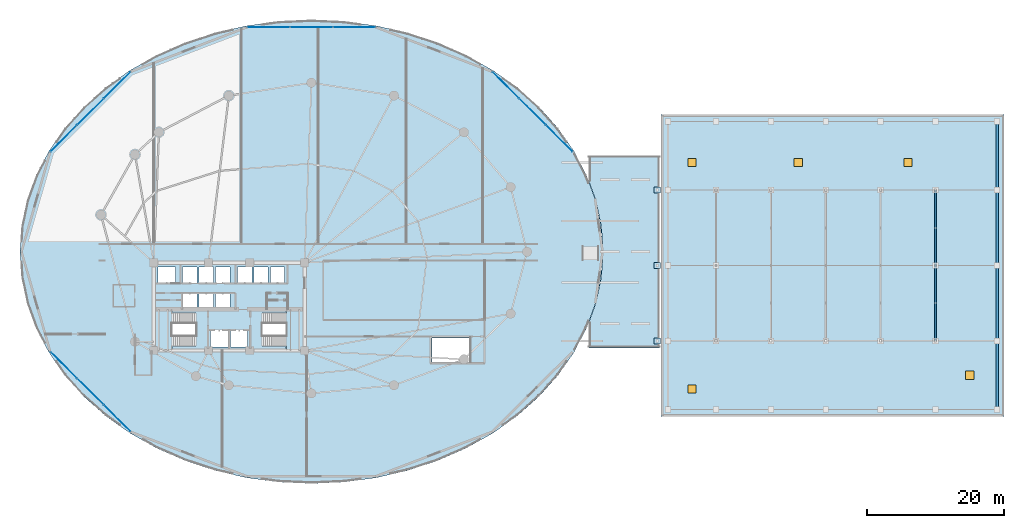
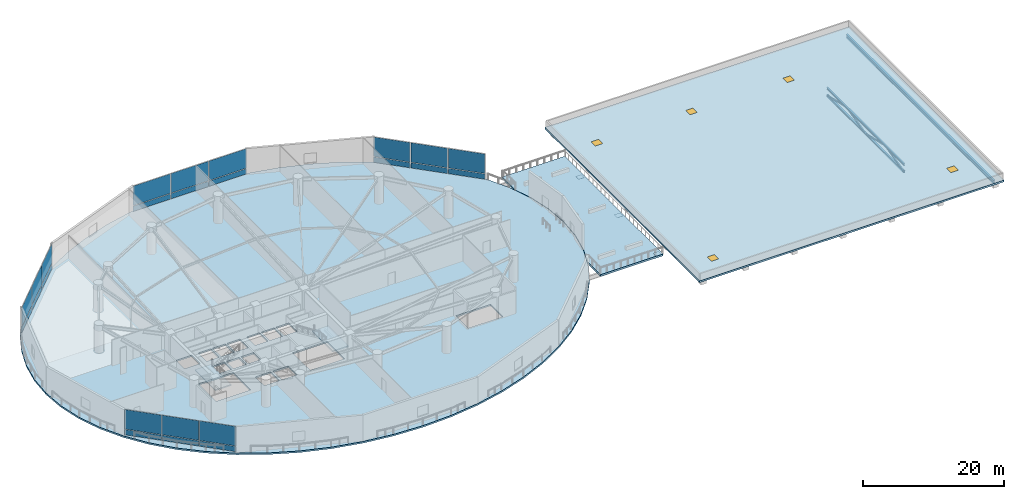
# One storey, part 14 of 26: 27 plates, 6 members, 5 slabs, 5 windows, 1 beam, 5 openings, 6 elements without a shape of their own.
"""IFC4 building model written with IfcOpenShell, lengths in metres."""

from ifc_helpers import new_model, si_unit, direction, frame, origin, origin_2d, place, context, subcontext, project, spatial, polyline, rectangle, hollow_rectangle, i_section, outline, extrude, material, layer, layer_set, material_profile, profile_set, type_object, element, fill, aggregate, save


model = new_model("IFC4")

# Units and contexts
model_context = context("Model", 3, precision=1e-05, world=origin(), true_north=direction((0.0, 1.0)))
body_context = subcontext(model_context, "Body", "Model", "MODEL_VIEW")
ifc_project = project(units=[si_unit("LENGTHUNIT", "METRE"), si_unit("AREAUNIT", "SQUARE_METRE"), si_unit("VOLUMEUNIT", "CUBIC_METRE"), si_unit("PLANEANGLEUNIT", "RADIAN"), si_unit("MASSUNIT", "GRAM", prefix="KILO")], contexts=[model_context])

# Site, building, storey
site_placement = place(None, origin())
site = spatial("IfcSite", under=ifc_project, at=site_placement, CompositionType="ELEMENT")
building_placement = place(site_placement, origin())
building = spatial("IfcBuilding", under=site, at=building_placement, Name="Kazevale Care Tower and Concert Hall", CompositionType="ELEMENT")
storey_placement = place(building_placement, frame((0.0, 0.0, 19.199951171875)))
storey = spatial("IfcBuildingStorey", under=building, at=storey_placement, Name="L04", CompositionType="ELEMENT", Elevation=19.199951171875)

# Beam
ifc_material_1 = material(Name="Steel ASTM A572 Gr 50", Category="steel")
ifc_material_profile_1 = material_profile(ifc_material_1, i_section(OverallWidth=0.323974609375, OverallDepth=0.611083984375, WebThickness=0.0126953125, FlangeThickness=0.01904296875, at=origin_2d()), Name="W610x155")
ifc_profile_set_1 = profile_set([ifc_material_profile_1], Name="Steel ASTM A572 Gr 50")
beam_type = type_object("IfcBeamType", Name="Concert Hall Frame Girder W610x155", PredefinedType="BEAM", material=ifc_profile_set_1)
beam_placement = place(storey_placement, frame((145.0, 15.0, 0.695068359375), z_axis=(0.0, 1.0, 0.0), x_axis=(-1.0, 0.0, 0.0)))
element("IfcBeam", 1, at=beam_placement, inside=storey, type_object=beam_type, Name="beam:L04:hall_edge:145", PredefinedType="BEAM", context=body_context, shape_type="SweptSolid", body=[
    extrude(i_section(OverallWidth=0.323974609375, OverallDepth=0.611083984375, WebThickness=0.0126953125, FlangeThickness=0.01904296875, at=origin_2d()), origin(), (0.0, 0.0, 1.0), 42.0),
])

# Members
ifc_material_profile_2 = material_profile(ifc_material_1, i_section(OverallWidth=0.304931640625, OverallDepth=0.30810546875, WebThickness=0.010009765625, FlangeThickness=0.015380859375, at=origin_2d()), Name="W310x97")
ifc_profile_set_2 = profile_set([ifc_material_profile_2], Name="Steel ASTM A572 Gr 50")
member_type_1 = type_object("IfcMemberType", Name="Concert Hall Truss Bot Chord W310x97", PredefinedType="CHORD", material=ifc_profile_set_2)
member_1_placement = place(storey_placement, frame((136.0, 25.0, -0.449951171875), z_axis=(0.0, 1.0, 0.0), x_axis=(-1.0, 0.0, 0.0)))
element("IfcMember", 2, at=member_1_placement, inside=storey, type_object=member_type_1, Name="truss:L04:CT5:bot", PredefinedType="CHORD", context=body_context, shape_type="SweptSolid", body=[
    extrude(i_section(OverallWidth=0.304931640625, OverallDepth=0.30810546875, WebThickness=0.010009765625, FlangeThickness=0.015380859375, at=origin_2d()), origin(), (0.0, 0.0, 1.0), 22.0),
])
ifc_material_profile_3 = material_profile(ifc_material_1, i_section(OverallWidth=0.257080078125, OverallDepth=0.363037109375, WebThickness=0.012939453125, FlangeThickness=0.021728515625, at=origin_2d()), Name="W360x122")
ifc_profile_set_3 = profile_set([ifc_material_profile_3], Name="Steel ASTM A572 Gr 50")
member_type_2 = type_object("IfcMemberType", Name="Concert Hall Truss Top Chord W360x122", PredefinedType="CHORD", material=ifc_profile_set_3)
member_2_placement = place(storey_placement, frame((136.0, 25.0, 0.818603515625), z_axis=(0.0, 1.0, 0.0), x_axis=(-1.0, 0.0, 0.0)))
element("IfcMember", 3, at=member_2_placement, inside=storey, type_object=member_type_2, Name="truss:L04:CT5:top", PredefinedType="CHORD", context=body_context, shape_type="SweptSolid", body=[
    extrude(i_section(OverallWidth=0.257080078125, OverallDepth=0.363037109375, WebThickness=0.012939453125, FlangeThickness=0.021728515625, at=origin_2d()), origin(), (0.0, 0.0, 1.0), 22.0),
])
ifc_material_profile_4 = material_profile(ifc_material_1, hollow_rectangle(XDim=0.199951171875, YDim=0.199951171875, WallThickness=0.012451171875, at=origin_2d()), Name="SHS200x200x12.5")
ifc_profile_set_4 = profile_set([ifc_material_profile_4], Name="Steel ASTM A572 Gr 50")
member_type_3 = type_object("IfcMemberType", Name="Concert Hall Truss Web SHS200x200x12.5", PredefinedType="BRACE", material=ifc_profile_set_4)
for number, where, z_axis, x_axis, name in (
    (4, (136.0, 25.0, -0.449951171875), (0.0, 0.974417432824, 0.22474578218), (-1.0, 0.0, 0.0), "truss:L04:CT5:web1"),
    (5, (136.0, 30.5, 0.818603515625), (0.0, 0.974417432824, -0.22474578218), (-1.0, 0.0, 0.0), "truss:L04:CT5:web2"),
    (6, (136.0, 36.0, -0.449951171875), (0.0, 0.974417432824, 0.22474578218), (-1.0, 0.0, 0.0), "truss:L04:CT5:web3"),
    (7, (136.0, 41.5, 0.818603515625), (0.0, 0.974417432824, -0.22474578218), (-1.0, 0.0, 0.0), "truss:L04:CT5:web4"),
):
    element("IfcMember", number, at=place(storey_placement, frame(where, z_axis=z_axis, x_axis=x_axis)), inside=storey, type_object=member_type_3, Name=name, PredefinedType="BRACE", context=body_context, shape_type="SweptSolid", body=[
        extrude(hollow_rectangle(XDim=0.199951171875, YDim=0.199951171875, WallThickness=0.012451171875, at=origin_2d()), origin(), (0.0, 0.0, 1.0), 5.644287109375),
    ])

# Plates
ifc_layer_1 = layer(ifc_material_1, 0.050048828125)
ifc_layer_set_1 = layer_set([ifc_layer_1], Name="Steel ASTM A572 Gr 50")
plate_type_1 = type_object("IfcPlateType", Name="Bridge Corbel Seat Bearing Plate 50mm", PredefinedType="USERDEFINED", material=ifc_layer_set_1)
for number, where, z_axis, x_axis, name in (
    (8, (95.39990234375, 25.0, -0.48974609375), (0.0, 0.0, 1.0), (1.0, 0.0, 0.0), "plate:L04:bseat:1"),
    (9, (95.39990234375, 36.0, -0.48974609375), (0.0, 0.0, 1.0), (1.0, 0.0, 0.0), "plate:L04:bseat:2"),
    (10, (95.39990234375, 47.0, -0.48974609375), (0.0, 0.0, 1.0), (1.0, 0.0, 0.0), "plate:L04:bseat:3"),
):
    element("IfcPlate", number, at=place(storey_placement, frame(where, z_axis=z_axis, x_axis=x_axis)), inside=storey, type_object=plate_type_1, Name=name, ObjectType="SEAT_PLATE", PredefinedType="USERDEFINED", context=body_context, shape_type="SweptSolid", body=[
        extrude(rectangle(XDim=0.949951171875, YDim=0.89990234375, at=origin_2d()), origin(), (0.0, 0.0, 1.0), 0.050048828125),
    ])

# Curtain wall, plates
ifc_material_2 = material(Name="Aluminium 6063-T6 and Low-E Glass", Category="aluminium")
ifc_layer_2 = layer(ifc_material_2, 0.179931640625)
ifc_layer_set_2 = layer_set([ifc_layer_2], Name="Aluminium 6063-T6 and Low-E Glass")
curtain_wall_type = type_object("IfcCurtainWallType", Name="Podium Double-Skin Medical Curtain Wall CW-1", PredefinedType="NOTDEFINED", material=ifc_layer_set_2)
curtain_wall_1_placement = place(storey_placement, origin())
curtain_wall_1 = element("IfcCurtainWall", 11, at=curtain_wall_1_placement, inside=storey, type_object=curtain_wall_type, Name="cw:L04:pod:02", PredefinedType="NOTDEFINED")
ifc_material_3 = material(Name="Low-E Laminated Glass", Category="glass")
ifc_layer_3 = layer(ifc_material_3, 0.030029296875)
ifc_layer_set_3 = layer_set([ifc_layer_3], Name="Low-E Laminated Glass")
plate_type_2 = type_object("IfcPlateType", Name="CW-1 Low-E Glazing Panel 30mm", PredefinedType="CURTAIN_PANEL", material=ifc_layer_set_3)
plate_1_placement = place(storey_placement, frame((81.121826171875, 54.533203125, 0.080078125), z_axis=(0.0, 0.0, 1.0), x_axis=(-0.708554776856, 0.705655814257, 0.0)))
plate_1 = element("IfcPlate", 12, at=plate_1_placement, type_object=plate_type_2, Name="CW-1 panel 1.1", PredefinedType="CURTAIN_PANEL", context=body_context, shape_type="SweptSolid", body=[
    extrude(rectangle(XDim=5.38427734375, YDim=0.030029296875, at=origin_2d()), origin(), (0.0, 0.0, 1.0), 0.929931640625),
])
plate_2_placement = place(storey_placement, frame((81.121826171875, 54.533203125, 1.09033203125), z_axis=(0.0, 0.0, 1.0), x_axis=(-0.708554776856, 0.705655814257, 0.0)))
plate_2 = element("IfcPlate", 13, at=plate_2_placement, type_object=plate_type_2, Name="CW-1 panel 1.2", PredefinedType="CURTAIN_PANEL", context=body_context, shape_type="SweptSolid", body=[
    extrude(rectangle(XDim=5.38427734375, YDim=0.030029296875, at=origin_2d()), origin(), (0.0, 0.0, 1.0), 3.389892578125),
])
plate_3_placement = place(storey_placement, frame((77.22705078125, 58.412109375, 0.080078125), z_axis=(0.0, 0.0, 1.0), x_axis=(-0.708554776856, 0.705655814257, 0.0)))
plate_3 = element("IfcPlate", 14, at=plate_3_placement, type_object=plate_type_2, Name="CW-1 panel 2.1", PredefinedType="CURTAIN_PANEL", context=body_context, shape_type="SweptSolid", body=[
    extrude(rectangle(XDim=5.42919921875, YDim=0.030029296875, at=origin_2d()), origin(), (0.0, 0.0, 1.0), 0.929931640625),
])
plate_4_placement = place(storey_placement, frame((77.22705078125, 58.412109375, 1.09033203125), z_axis=(0.0, 0.0, 1.0), x_axis=(-0.708554776856, 0.705655814257, 0.0)))
plate_4 = element("IfcPlate", 15, at=plate_4_placement, type_object=plate_type_2, Name="CW-1 panel 2.2", PredefinedType="CURTAIN_PANEL", context=body_context, shape_type="SweptSolid", body=[
    extrude(rectangle(XDim=5.42919921875, YDim=0.030029296875, at=origin_2d()), origin(), (0.0, 0.0, 1.0), 3.389892578125),
])
plate_5_placement = place(storey_placement, frame((73.332275390625, 62.290771484375, 0.080078125), z_axis=(0.0, 0.0, 1.0), x_axis=(-0.708554776856, 0.705655814257, 0.0)))
plate_5 = element("IfcPlate", 16, at=plate_5_placement, type_object=plate_type_2, Name="CW-1 panel 3.1", PredefinedType="CURTAIN_PANEL", context=body_context, shape_type="SweptSolid", body=[
    extrude(rectangle(XDim=5.38427734375, YDim=0.030029296875, at=origin_2d()), origin(), (0.0, 0.0, 1.0), 0.929931640625),
])
plate_6_placement = place(storey_placement, frame((73.332275390625, 62.290771484375, 1.09033203125), z_axis=(0.0, 0.0, 1.0), x_axis=(-0.708554776856, 0.705655814257, 0.0)))
plate_6 = element("IfcPlate", 17, at=plate_6_placement, type_object=plate_type_2, Name="CW-1 panel 3.2", PredefinedType="CURTAIN_PANEL", context=body_context, shape_type="SweptSolid", body=[
    extrude(rectangle(XDim=5.38427734375, YDim=0.030029296875, at=origin_2d()), origin(), (0.0, 0.0, 1.0), 3.389892578125),
])
aggregate(curtain_wall_1, [plate_1, plate_2, plate_3, plate_4, plate_5, plate_6])

curtain_wall_2_placement = place(storey_placement, origin())
curtain_wall_2 = element("IfcCurtainWall", 18, at=curtain_wall_2_placement, inside=storey, type_object=curtain_wall_type, Name="cw:L04:pod:04", PredefinedType="NOTDEFINED")
plate_7_placement = place(storey_placement, frame((51.24951171875, 70.738037109375, 0.080078125), z_axis=(0.0, 0.0, 1.0), x_axis=(-1.0, 0.0, 0.0)))
plate_7 = element("IfcPlate", 19, at=plate_7_placement, type_object=plate_type_2, Name="CW-1 panel 1.1", PredefinedType="CURTAIN_PANEL", context=body_context, shape_type="SweptSolid", body=[
    extrude(rectangle(XDim=6.136962890625, YDim=0.030029296875, at=origin_2d()), origin(), (0.0, 0.0, 1.0), 0.929931640625),
])
plate_8_placement = place(storey_placement, frame((51.24951171875, 70.738037109375, 1.09033203125), z_axis=(0.0, 0.0, 1.0), x_axis=(-1.0, 0.0, 0.0)))
plate_8 = element("IfcPlate", 20, at=plate_8_placement, type_object=plate_type_2, Name="CW-1 panel 1.2", PredefinedType="CURTAIN_PANEL", context=body_context, shape_type="SweptSolid", body=[
    extrude(rectangle(XDim=6.136962890625, YDim=0.030029296875, at=origin_2d()), origin(), (0.0, 0.0, 1.0), 3.389892578125),
])
plate_9_placement = place(storey_placement, frame((45.0, 70.738037109375, 0.080078125), z_axis=(0.0, 0.0, 1.0), x_axis=(-1.0, 0.0, 0.0)))
plate_9 = element("IfcPlate", 21, at=plate_9_placement, type_object=plate_type_2, Name="CW-1 panel 2.1", PredefinedType="CURTAIN_PANEL", context=body_context, shape_type="SweptSolid", body=[
    extrude(rectangle(XDim=6.181884765625, YDim=0.030029296875, at=origin_2d()), origin(), (0.0, 0.0, 1.0), 0.929931640625),
])
plate_10_placement = place(storey_placement, frame((45.0, 70.738037109375, 1.09033203125), z_axis=(0.0, 0.0, 1.0), x_axis=(-1.0, 0.0, 0.0)))
plate_10 = element("IfcPlate", 22, at=plate_10_placement, type_object=plate_type_2, Name="CW-1 panel 2.2", PredefinedType="CURTAIN_PANEL", context=body_context, shape_type="SweptSolid", body=[
    extrude(rectangle(XDim=6.181884765625, YDim=0.030029296875, at=origin_2d()), origin(), (0.0, 0.0, 1.0), 3.389892578125),
])
plate_11_placement = place(storey_placement, frame((38.75048828125, 70.738037109375, 0.080078125), z_axis=(0.0, 0.0, 1.0), x_axis=(-1.0, 0.0, 0.0)))
plate_11 = element("IfcPlate", 23, at=plate_11_placement, type_object=plate_type_2, Name="CW-1 panel 3.1", PredefinedType="CURTAIN_PANEL", context=body_context, shape_type="SweptSolid", body=[
    extrude(rectangle(XDim=6.136962890625, YDim=0.030029296875, at=origin_2d()), origin(), (0.0, 0.0, 1.0), 0.929931640625),
])
plate_12_placement = place(storey_placement, frame((38.75048828125, 70.738037109375, 1.09033203125), z_axis=(0.0, 0.0, 1.0), x_axis=(-1.0, 0.0, 0.0)))
plate_12 = element("IfcPlate", 24, at=plate_12_placement, type_object=plate_type_2, Name="CW-1 panel 3.2", PredefinedType="CURTAIN_PANEL", context=body_context, shape_type="SweptSolid", body=[
    extrude(rectangle(XDim=6.136962890625, YDim=0.030029296875, at=origin_2d()), origin(), (0.0, 0.0, 1.0), 3.389892578125),
])
aggregate(curtain_wall_2, [plate_7, plate_8, plate_9, plate_10, plate_11, plate_12])

curtain_wall_3_placement = place(storey_placement, origin())
curtain_wall_3 = element("IfcCurtainWall", 25, at=curtain_wall_3_placement, inside=storey, type_object=curtain_wall_type, Name="cw:L04:pod:06", PredefinedType="NOTDEFINED")
plate_13_placement = place(storey_placement, frame((16.667724609375, 62.290771484375, 0.080078125), z_axis=(0.0, 0.0, 1.0), x_axis=(-0.708554776856, -0.705655814257, 0.0)))
plate_13 = element("IfcPlate", 26, at=plate_13_placement, type_object=plate_type_2, Name="CW-1 panel 1.1", PredefinedType="CURTAIN_PANEL", context=body_context, shape_type="SweptSolid", body=[
    extrude(rectangle(XDim=5.38427734375, YDim=0.030029296875, at=origin_2d()), origin(), (0.0, 0.0, 1.0), 0.929931640625),
])
plate_14_placement = place(storey_placement, frame((16.667724609375, 62.290771484375, 1.09033203125), z_axis=(0.0, 0.0, 1.0), x_axis=(-0.708554776856, -0.705655814257, 0.0)))
plate_14 = element("IfcPlate", 27, at=plate_14_placement, type_object=plate_type_2, Name="CW-1 panel 1.2", PredefinedType="CURTAIN_PANEL", context=body_context, shape_type="SweptSolid", body=[
    extrude(rectangle(XDim=5.38427734375, YDim=0.030029296875, at=origin_2d()), origin(), (0.0, 0.0, 1.0), 3.389892578125),
])
plate_15_placement = place(storey_placement, frame((12.77294921875, 58.412109375, 0.080078125), z_axis=(0.0, 0.0, 1.0), x_axis=(-0.708554776856, -0.705655814257, 0.0)))
plate_15 = element("IfcPlate", 28, at=plate_15_placement, type_object=plate_type_2, Name="CW-1 panel 2.1", PredefinedType="CURTAIN_PANEL", context=body_context, shape_type="SweptSolid", body=[
    extrude(rectangle(XDim=5.42919921875, YDim=0.030029296875, at=origin_2d()), origin(), (0.0, 0.0, 1.0), 0.929931640625),
])
plate_16_placement = place(storey_placement, frame((12.77294921875, 58.412109375, 1.09033203125), z_axis=(0.0, 0.0, 1.0), x_axis=(-0.708554776856, -0.705655814257, 0.0)))
plate_16 = element("IfcPlate", 29, at=plate_16_placement, type_object=plate_type_2, Name="CW-1 panel 2.2", PredefinedType="CURTAIN_PANEL", context=body_context, shape_type="SweptSolid", body=[
    extrude(rectangle(XDim=5.42919921875, YDim=0.030029296875, at=origin_2d()), origin(), (0.0, 0.0, 1.0), 3.389892578125),
])
plate_17_placement = place(storey_placement, frame((8.878173828125, 54.533203125, 0.080078125), z_axis=(0.0, 0.0, 1.0), x_axis=(-0.708554776856, -0.705655814257, 0.0)))
plate_17 = element("IfcPlate", 30, at=plate_17_placement, type_object=plate_type_2, Name="CW-1 panel 3.1", PredefinedType="CURTAIN_PANEL", context=body_context, shape_type="SweptSolid", body=[
    extrude(rectangle(XDim=5.38427734375, YDim=0.030029296875, at=origin_2d()), origin(), (0.0, 0.0, 1.0), 0.929931640625),
])
plate_18_placement = place(storey_placement, frame((8.878173828125, 54.533203125, 1.09033203125), z_axis=(0.0, 0.0, 1.0), x_axis=(-0.708554776856, -0.705655814257, 0.0)))
plate_18 = element("IfcPlate", 31, at=plate_18_placement, type_object=plate_type_2, Name="CW-1 panel 3.2", PredefinedType="CURTAIN_PANEL", context=body_context, shape_type="SweptSolid", body=[
    extrude(rectangle(XDim=5.38427734375, YDim=0.030029296875, at=origin_2d()), origin(), (0.0, 0.0, 1.0), 3.389892578125),
])
aggregate(curtain_wall_3, [plate_13, plate_14, plate_15, plate_16, plate_17, plate_18])

curtain_wall_4_placement = place(storey_placement, origin())
curtain_wall_4 = element("IfcCurtainWall", 32, at=curtain_wall_4_placement, inside=storey, type_object=curtain_wall_type, Name="cw:L04:pod:09", PredefinedType="NOTDEFINED")
plate_19_placement = place(storey_placement, frame((8.878173828125, 21.466796875, 0.080078125), z_axis=(0.0, 0.0, 1.0), x_axis=(0.708554776856, -0.705655814257, 0.0)))
plate_19 = element("IfcPlate", 33, at=plate_19_placement, type_object=plate_type_2, Name="CW-1 panel 1.1", PredefinedType="CURTAIN_PANEL", context=body_context, shape_type="SweptSolid", body=[
    extrude(rectangle(XDim=5.38427734375, YDim=0.030029296875, at=origin_2d()), origin(), (0.0, 0.0, 1.0), 0.929931640625),
])
plate_20_placement = place(storey_placement, frame((8.878173828125, 21.466796875, 1.09033203125), z_axis=(0.0, 0.0, 1.0), x_axis=(0.708554776856, -0.705655814257, 0.0)))
plate_20 = element("IfcPlate", 34, at=plate_20_placement, type_object=plate_type_2, Name="CW-1 panel 1.2", PredefinedType="CURTAIN_PANEL", context=body_context, shape_type="SweptSolid", body=[
    extrude(rectangle(XDim=5.38427734375, YDim=0.030029296875, at=origin_2d()), origin(), (0.0, 0.0, 1.0), 3.389892578125),
])
plate_21_placement = place(storey_placement, frame((12.77294921875, 17.587890625, 0.080078125), z_axis=(0.0, 0.0, 1.0), x_axis=(0.708554776856, -0.705655814257, 0.0)))
plate_21 = element("IfcPlate", 35, at=plate_21_placement, type_object=plate_type_2, Name="CW-1 panel 2.1", PredefinedType="CURTAIN_PANEL", context=body_context, shape_type="SweptSolid", body=[
    extrude(rectangle(XDim=5.42919921875, YDim=0.030029296875, at=origin_2d()), origin(), (0.0, 0.0, 1.0), 0.929931640625),
])
plate_22_placement = place(storey_placement, frame((12.77294921875, 17.587890625, 1.09033203125), z_axis=(0.0, 0.0, 1.0), x_axis=(0.708554776856, -0.705655814257, 0.0)))
plate_22 = element("IfcPlate", 36, at=plate_22_placement, type_object=plate_type_2, Name="CW-1 panel 2.2", PredefinedType="CURTAIN_PANEL", context=body_context, shape_type="SweptSolid", body=[
    extrude(rectangle(XDim=5.42919921875, YDim=0.030029296875, at=origin_2d()), origin(), (0.0, 0.0, 1.0), 3.389892578125),
])
plate_23_placement = place(storey_placement, frame((16.667724609375, 13.709228515625, 0.080078125), z_axis=(0.0, 0.0, 1.0), x_axis=(0.708554776856, -0.705655814257, 0.0)))
plate_23 = element("IfcPlate", 37, at=plate_23_placement, type_object=plate_type_2, Name="CW-1 panel 3.1", PredefinedType="CURTAIN_PANEL", context=body_context, shape_type="SweptSolid", body=[
    extrude(rectangle(XDim=5.38427734375, YDim=0.030029296875, at=origin_2d()), origin(), (0.0, 0.0, 1.0), 0.929931640625),
])
plate_24_placement = place(storey_placement, frame((16.667724609375, 13.709228515625, 1.09033203125), z_axis=(0.0, 0.0, 1.0), x_axis=(0.708554776856, -0.705655814257, 0.0)))
plate_24 = element("IfcPlate", 38, at=plate_24_placement, type_object=plate_type_2, Name="CW-1 panel 3.2", PredefinedType="CURTAIN_PANEL", context=body_context, shape_type="SweptSolid", body=[
    extrude(rectangle(XDim=5.38427734375, YDim=0.030029296875, at=origin_2d()), origin(), (0.0, 0.0, 1.0), 3.389892578125),
])
aggregate(curtain_wall_4, [plate_19, plate_20, plate_21, plate_22, plate_23, plate_24])

# Slab, openings, windows
ifc_material_4 = material(Name="Concrete C40", Category="concrete")
ifc_layer_4 = layer(ifc_material_4, 0.300048828125)
ifc_layer_set_4 = layer_set([ifc_layer_4], Name="Concrete C40")
slab_type_1 = type_object("IfcSlabType", Name="Crown & Concert Hall Roof Slab 300", PredefinedType="ROOF", material=ifc_layer_set_4)
slab_1_placement = place(storey_placement, frame((0.0, 0.0, 1.0)))
slab_1 = element("IfcSlab", 39, at=slab_1_placement, inside=storey, type_object=slab_type_1, Name="slab:L04:hall_roof", PredefinedType="ROOF", context=body_context, shape_type="SweptSolid", body=[
    extrude(outline(polyline([(96.0, 14.0), (146.0, 14.0), (146.0, 58.0), (96.0, 58.0), (96.0, 14.0)])), origin(), (0.0, 0.0, 1.0), 0.300048828125),
])
opening_1_placement = place(slab_1_placement, frame((100.5, 18.0, 0.0)))
opening_1 = element("IfcOpeningElement", 40, at=opening_1_placement, cuts=slab_1, Name="Opening RHT-1", PredefinedType="OPENING", context=body_context, shape_type="SweptSolid", body=[
    extrude(rectangle(XDim=1.199951171875, YDim=1.199951171875, at=origin_2d()), frame((0.0, 0.0, -0.010009765625)), (0.0, 0.0, 1.0), 0.320068359375),
])
opening_2_placement = place(slab_1_placement, frame((100.5, 51.0, 0.0)))
opening_2 = element("IfcOpeningElement", 41, at=opening_2_placement, cuts=slab_1, Name="Opening RHT-1", PredefinedType="OPENING", context=body_context, shape_type="SweptSolid", body=[
    extrude(rectangle(XDim=1.199951171875, YDim=1.199951171875, at=origin_2d()), frame((0.0, 0.0, -0.010009765625)), (0.0, 0.0, 1.0), 0.320068359375),
])
opening_3_placement = place(slab_1_placement, frame((116.0, 51.0, 0.0)))
opening_3 = element("IfcOpeningElement", 42, at=opening_3_placement, cuts=slab_1, Name="Opening RHT-1", PredefinedType="OPENING", context=body_context, shape_type="SweptSolid", body=[
    extrude(rectangle(XDim=1.199951171875, YDim=1.199951171875, at=origin_2d()), frame((0.0, 0.0, -0.010009765625)), (0.0, 0.0, 1.0), 0.320068359375),
])
opening_4_placement = place(slab_1_placement, frame((132.0, 51.0, 0.0)))
opening_4 = element("IfcOpeningElement", 43, at=opening_4_placement, cuts=slab_1, Name="Opening RHT-1", PredefinedType="OPENING", context=body_context, shape_type="SweptSolid", body=[
    extrude(rectangle(XDim=1.199951171875, YDim=1.199951171875, at=origin_2d()), frame((0.0, 0.0, -0.010009765625)), (0.0, 0.0, 1.0), 0.320068359375),
])
opening_5_placement = place(slab_1_placement, frame((141.0, 20.0, 0.0)))
opening_5 = element("IfcOpeningElement", 44, at=opening_5_placement, cuts=slab_1, Name="Opening RHT-1", PredefinedType="OPENING", context=body_context, shape_type="SweptSolid", body=[
    extrude(rectangle(XDim=1.199951171875, YDim=1.199951171875, at=origin_2d()), frame((0.0, 0.0, -0.010009765625)), (0.0, 0.0, 1.0), 0.320068359375),
])
window_type = type_object("IfcWindowType", Name="Insulated Roof Access Skylight Hatch 1200x1200", PartitioningType="SINGLE_PANEL", PredefinedType="SKYLIGHT", material=ifc_material_3)
window_1_placement = place(opening_1_placement, frame((0.0, 0.0, 0.25)))
window_1 = element("IfcWindow", 45, at=window_1_placement, inside=storey, type_object=window_type, Name="ROOF ACCESS HATCH", OverallHeight=1.199951171875, OverallWidth=1.199951171875, PartitioningType="SINGLE_PANEL", PredefinedType="SKYLIGHT", context=body_context, shape_type="SweptSolid", body=[
    extrude(rectangle(XDim=1.199951171875, YDim=1.199951171875, at=origin_2d()), origin(), (0.0, 0.0, 1.0), 0.050048828125),
])
fill(opening_1, window_1)
window_2_placement = place(opening_2_placement, frame((0.0, 0.0, 0.25)))
window_2 = element("IfcWindow", 46, at=window_2_placement, inside=storey, type_object=window_type, Name="SMOKE RELIEF SKYLIGHT HATCH 1", OverallHeight=1.199951171875, OverallWidth=1.199951171875, PartitioningType="SINGLE_PANEL", PredefinedType="SKYLIGHT", context=body_context, shape_type="SweptSolid", body=[
    extrude(rectangle(XDim=1.199951171875, YDim=1.199951171875, at=origin_2d()), origin(), (0.0, 0.0, 1.0), 0.050048828125),
])
fill(opening_2, window_2)
window_3_placement = place(opening_3_placement, frame((0.0, 0.0, 0.25)))
window_3 = element("IfcWindow", 47, at=window_3_placement, inside=storey, type_object=window_type, Name="SMOKE RELIEF SKYLIGHT HATCH 2", OverallHeight=1.199951171875, OverallWidth=1.199951171875, PartitioningType="SINGLE_PANEL", PredefinedType="SKYLIGHT", context=body_context, shape_type="SweptSolid", body=[
    extrude(rectangle(XDim=1.199951171875, YDim=1.199951171875, at=origin_2d()), origin(), (0.0, 0.0, 1.0), 0.050048828125),
])
fill(opening_3, window_3)
window_4_placement = place(opening_4_placement, frame((0.0, 0.0, 0.25)))
window_4 = element("IfcWindow", 48, at=window_4_placement, inside=storey, type_object=window_type, Name="SMOKE RELIEF SKYLIGHT HATCH 3", OverallHeight=1.199951171875, OverallWidth=1.199951171875, PartitioningType="SINGLE_PANEL", PredefinedType="SKYLIGHT", context=body_context, shape_type="SweptSolid", body=[
    extrude(rectangle(XDim=1.199951171875, YDim=1.199951171875, at=origin_2d()), origin(), (0.0, 0.0, 1.0), 0.050048828125),
])
fill(opening_4, window_4)
window_5_placement = place(opening_5_placement, frame((0.0, 0.0, 0.25)))
window_5 = element("IfcWindow", 49, at=window_5_placement, inside=storey, type_object=window_type, Name="SMOKE RELIEF SKYLIGHT HATCH 4", OverallHeight=1.199951171875, OverallWidth=1.199951171875, PartitioningType="SINGLE_PANEL", PredefinedType="SKYLIGHT", context=body_context, shape_type="SweptSolid", body=[
    extrude(rectangle(XDim=1.199951171875, YDim=1.199951171875, at=origin_2d()), origin(), (0.0, 0.0, 1.0), 0.050048828125),
])
fill(opening_5, window_5)

# Slabs
ifc_layer_5 = layer(ifc_material_4, 0.280029296875)
ifc_layer_set_5 = layer_set([ifc_layer_5], Name="Concrete C40")
slab_type_2 = type_object("IfcSlabType", Name="Podium Clinic Floor Slab 280", PredefinedType="FLOOR", material=ifc_layer_set_5)
slab_2_placement = place(storey_placement, frame((0.0, 0.0, -0.280029296875)))
element("IfcSlab", 50, at=slab_2_placement, inside=storey, type_object=slab_type_2, Name="slab:L04:tw:1", PredefinedType="FLOOR", context=body_context, shape_type="SweptSolid", body=[
    extrude(outline(polyline([(87.5, 38.0), (87.23291015625, 41.784423828125), (86.434326171875, 45.521240234375), (85.114990234375, 49.163330078125), (83.291259765625, 52.665283203125), (80.98583984375, 55.982666015625), (78.227783203125, 59.073974609375), (75.052001953125, 61.900146484375), (71.498291015625, 64.42578125), (67.611328125, 66.619384765625), (63.440185546875, 68.45263671875), (59.036865234375, 69.9033203125), (54.45703125, 70.95263671875), (49.758544921875, 71.58740234375), (45.0, 71.800048828125), (40.241455078125, 71.58740234375), (35.54296875, 70.95263671875), (30.963134765625, 69.9033203125), (26.559814453125, 68.45263671875), (22.388671875, 66.619384765625), (18.501708984375, 64.42578125), (14.947998046875, 61.900146484375), (11.772216796875, 59.073974609375), (9.01416015625, 55.982666015625), (6.708740234375, 52.665283203125), (4.885009765625, 49.163330078125), (3.565673828125, 45.521240234375), (2.76708984375, 41.784423828125), (2.5, 38.0), (2.76708984375, 34.215576171875), (3.565673828125, 30.478759765625), (4.885009765625, 26.836669921875), (6.708740234375, 23.334716796875), (9.01416015625, 20.017333984375), (11.772216796875, 16.926025390625), (14.947998046875, 14.099853515625), (18.501708984375, 11.57421875), (22.388671875, 9.380615234375), (26.559814453125, 7.54736328125), (30.963134765625, 6.0966796875), (35.54296875, 5.04736328125), (40.241455078125, 4.41259765625), (45.0, 4.199951171875), (49.758544921875, 4.41259765625), (54.45703125, 5.04736328125), (59.036865234375, 6.0966796875), (63.440185546875, 7.54736328125), (67.611328125, 9.380615234375), (71.498291015625, 11.57421875), (75.052001953125, 14.099853515625), (78.227783203125, 16.926025390625), (80.98583984375, 20.017333984375), (83.291259765625, 23.334716796875), (85.114990234375, 26.836669921875), (86.434326171875, 30.478759765625), (87.23291015625, 34.215576171875), (87.5, 38.0)]), holes=[polyline([(22.449951171875, 24.14990234375), (28.110107421875, 24.14990234375), (28.110107421875, 29.14990234375), (22.449951171875, 29.14990234375), (22.449951171875, 24.14990234375)]), polyline([(37.889892578125, 24.14990234375), (43.550048828125, 24.14990234375), (43.550048828125, 29.14990234375), (37.889892578125, 29.14990234375), (37.889892578125, 24.14990234375)]), polyline([(30.300048828125, 24.10009765625), (32.800048828125, 24.10009765625), (32.800048828125, 26.60009765625), (30.300048828125, 26.60009765625), (30.300048828125, 24.10009765625)]), polyline([(33.199951171875, 24.10009765625), (35.699951171875, 24.10009765625), (35.699951171875, 26.60009765625), (33.199951171875, 26.60009765625), (33.199951171875, 24.10009765625)]), polyline([(22.60009765625, 33.39990234375), (25.199951171875, 33.39990234375), (25.199951171875, 35.800048828125), (22.60009765625, 35.800048828125), (22.60009765625, 33.39990234375)]), polyline([(26.199951171875, 33.39990234375), (28.300048828125, 33.39990234375), (28.300048828125, 35.800048828125), (26.199951171875, 35.800048828125), (26.199951171875, 33.39990234375)]), polyline([(28.60009765625, 33.39990234375), (30.699951171875, 33.39990234375), (30.699951171875, 35.800048828125), (28.60009765625, 35.800048828125), (28.60009765625, 33.39990234375)]), polyline([(31.0, 33.39990234375), (33.10009765625, 33.39990234375), (33.10009765625, 35.800048828125), (31.0, 35.800048828125), (31.0, 33.39990234375)]), polyline([(34.199951171875, 33.39990234375), (36.300048828125, 33.39990234375), (36.300048828125, 35.800048828125), (34.199951171875, 35.800048828125), (34.199951171875, 33.39990234375)]), polyline([(36.60009765625, 33.39990234375), (38.699951171875, 33.39990234375), (38.699951171875, 35.800048828125), (36.60009765625, 35.800048828125), (36.60009765625, 33.39990234375)]), polyline([(39.0, 33.39990234375), (41.10009765625, 33.39990234375), (41.10009765625, 35.800048828125), (39.0, 35.800048828125), (39.0, 33.39990234375)]), polyline([(26.199951171875, 29.949951171875), (28.300048828125, 29.949951171875), (28.300048828125, 31.949951171875), (26.199951171875, 31.949951171875), (26.199951171875, 29.949951171875)]), polyline([(28.60009765625, 29.949951171875), (30.699951171875, 29.949951171875), (30.699951171875, 31.949951171875), (28.60009765625, 31.949951171875), (28.60009765625, 29.949951171875)]), polyline([(31.0, 29.949951171875), (33.10009765625, 29.949951171875), (33.10009765625, 31.949951171875), (31.0, 31.949951171875), (31.0, 29.949951171875)]), polyline([(62.60009765625, 21.949951171875), (68.260009765625, 21.949951171875), (68.260009765625, 25.449951171875), (62.60009765625, 25.449951171875), (62.60009765625, 21.949951171875)])]), origin(), (0.0, 0.0, 1.0), 0.280029296875),
])
ifc_material_5 = material(Name="Concrete C50", Category="concrete")
ifc_layer_6 = layer(ifc_material_5, 0.320068359375)
ifc_layer_set_6 = layer_set([ifc_layer_6], Name="Concrete C50")
slab_type_3 = type_object("IfcSlabType", Name="Raised Shakkei Public Garden Deck 320", PredefinedType="ROOF", material=ifc_layer_set_6)
slab_3_placement = place(storey_placement, frame((0.0, 0.0, -0.320068359375)))
element("IfcSlab", 51, at=slab_3_placement, inside=storey, type_object=slab_type_3, Name="slab:L04:raised_garden_bridge", PredefinedType="ROOF", context=body_context, shape_type="SweptSolid", body=[
    extrude(outline(polyline([(85.5, 52.0), (95.780029296875, 52.0), (95.780029296875, 24.0), (85.5, 24.0), (85.5, 27.81103515625), (86.462890625, 30.470947265625), (87.262939453125, 34.2109375), (87.530029296875, 38.0), (87.262939453125, 41.7890625), (86.462890625, 45.529052734375), (85.5, 48.18896484375), (85.5, 52.0)])), origin(), (0.0, 0.0, 1.0), 0.320068359375),
])

# Stair, slab
stair_type = type_object("IfcStairType", Name="Exit Stair Assembly ST1-P", PredefinedType="HALF_TURN_STAIR", material=ifc_material_4)
stair_1_placement = place(storey_placement, origin())
stair_1 = element("IfcStair", 52, at=stair_1_placement, inside=storey, type_object=stair_type, Name="stair:L04:ST1", PredefinedType="HALF_TURN_STAIR")
ifc_layer_7 = layer(ifc_material_4, 0.199951171875)
ifc_layer_set_7 = layer_set([ifc_layer_7], Name="Concrete C40")
slab_type_4 = type_object("IfcSlabType", Name="Stair Half-Landing Slab ST1-P", PredefinedType="LANDING", material=ifc_layer_set_7)
slab_4_placement = place(storey_placement, frame((0.0, 0.0, 2.199951171875)))
slab_4 = element("IfcSlab", 53, at=slab_4_placement, type_object=slab_type_4, Name="ST1-P landing 1", PredefinedType="LANDING", context=body_context, shape_type="SweptSolid", body=[
    extrude(outline(polyline([(22.050048828125, 23.699951171875), (24.68994140625, 23.699951171875), (24.68994140625, 29.5), (22.050048828125, 29.5), (22.050048828125, 23.699951171875)])), origin(), (0.0, 0.0, 1.0), 0.2001953125),
])
aggregate(stair_1, [slab_4])

stair_2_placement = place(storey_placement, origin())
stair_2 = element("IfcStair", 54, at=stair_2_placement, inside=storey, type_object=stair_type, Name="stair:L04:ST2", PredefinedType="HALF_TURN_STAIR")
slab_5_placement = place(storey_placement, frame((0.0, 0.0, 2.199951171875)))
slab_5 = element("IfcSlab", 55, at=slab_5_placement, type_object=slab_type_4, Name="ST1-P landing 1", PredefinedType="LANDING", context=body_context, shape_type="SweptSolid", body=[
    extrude(outline(polyline([(41.31005859375, 23.699951171875), (43.949951171875, 23.699951171875), (43.949951171875, 29.5), (41.31005859375, 29.5), (41.31005859375, 23.699951171875)])), origin(), (0.0, 0.0, 1.0), 0.2001953125),
])
aggregate(stair_2, [slab_5])

save(model, "model.ifc")
